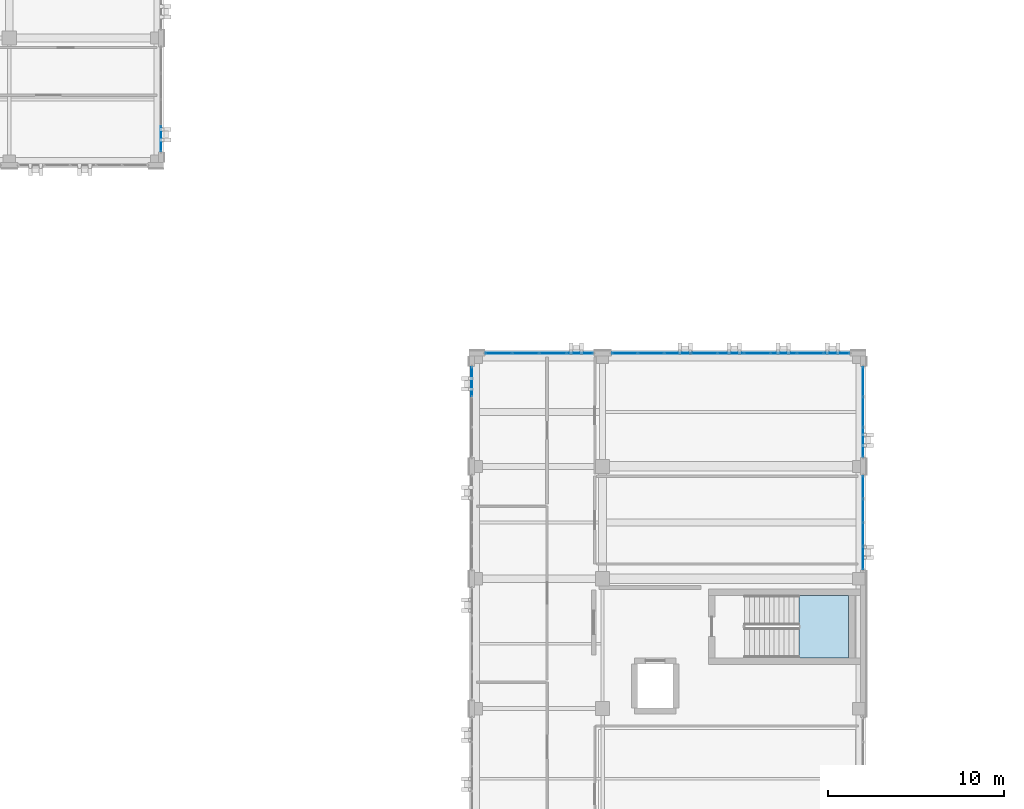
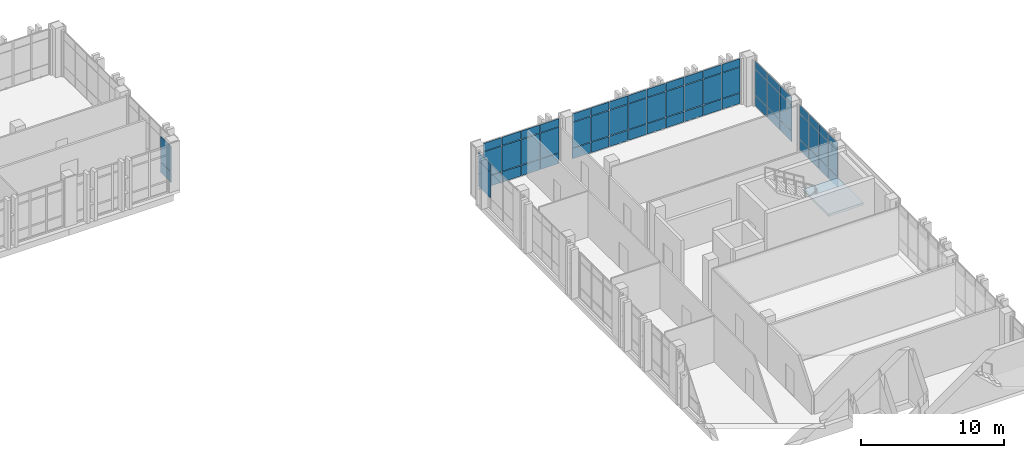
# One storey, part 148 of 193: 64 plates, 1 slab, 7 elements without a shape of their own.
"""IFC4 building model written with IfcOpenShell, lengths in metres."""

from ifc_helpers import new_model, si_unit, direction, frame, origin, origin_2d, place, context, subcontext, project, spatial, polyline, rectangle, outline, extrude, material, layer, layer_set, type_object, element, aggregate, save


model = new_model("IFC4")

# Units and contexts
model_context = context("Model", 3, precision=1e-05, world=origin(), true_north=direction((0.0, 1.0)))
body_context = subcontext(model_context, "Body", "Model", "MODEL_VIEW")
ifc_project = project(units=[si_unit("LENGTHUNIT", "METRE"), si_unit("AREAUNIT", "SQUARE_METRE"), si_unit("VOLUMEUNIT", "CUBIC_METRE"), si_unit("PLANEANGLEUNIT", "RADIAN"), si_unit("MASSUNIT", "GRAM", prefix="KILO")], contexts=[model_context])

# Site, building, storey
site_placement = place(None, origin())
site = spatial("IfcSite", under=ifc_project, at=site_placement, CompositionType="ELEMENT")
building_placement = place(site_placement, origin())
building = spatial("IfcBuilding", under=site, at=building_placement, Name="Qalavern Law Courts", CompositionType="ELEMENT")
storey_placement = place(building_placement, frame((0.0, 0.0, 10.199951171875)))
storey = spatial("IfcBuildingStorey", under=building, at=storey_placement, Name="L02", CompositionType="ELEMENT", Elevation=10.199951171875)

# Curtain wall, plates
ifc_material_1 = material(Name="Anodised aluminium and insulated glazing", Category="aluminium")
ifc_layer_1 = layer(ifc_material_1, 0.172119140625)
ifc_layer_set_1 = layer_set([ifc_layer_1], Name="Anodised aluminium and insulated glazing")
curtain_wall_type_1 = type_object("IfcCurtainWallType", Name="ENV-CW-COURT", PredefinedType="USERDEFINED", material=ifc_layer_set_1)
curtain_wall_1_placement = place(storey_placement, origin())
curtain_wall_1 = element("IfcCurtainWall", 1, at=curtain_wall_1_placement, inside=storey, type_object=curtain_wall_type_1, Name="V4 unitised curtain wall L02 east 4", ObjectType="UNITISED CURTAIN WALL", PredefinedType="USERDEFINED")
ifc_material_2 = material(Name="Insulated low-E acoustic glazing", Category="glass")
ifc_layer_2 = layer(ifc_material_2, 0.028076171875)
ifc_layer_set_2 = layer_set([ifc_layer_2], Name="Insulated low-E acoustic glazing")
plate_type_1 = type_object("IfcPlateType", Name="ENV-CWP-28", PredefinedType="CURTAIN_PANEL", material=ifc_layer_set_2)
plate_1_placement = place(storey_placement, frame((106.64501953125, 73.987060546875, 0.048095703125), z_axis=(0.0, 0.0, 1.0), x_axis=(0.0, 1.0, 0.0)))
plate_1 = element("IfcPlate", 2, at=plate_1_placement, type_object=plate_type_1, Name="CW-03 panel 1.1", PredefinedType="CURTAIN_PANEL", context=body_context, shape_type="SweptSolid", body=[
    extrude(rectangle(XDim=1.278076171875, YDim=0.028076171875, at=origin_2d()), origin(), (0.0, 0.0, 1.0), 0.8779296875),
])
plate_2_placement = place(storey_placement, frame((106.64501953125, 73.987060546875, 0.97412109375), z_axis=(0.0, 0.0, 1.0), x_axis=(0.0, 1.0, 0.0)))
plate_2 = element("IfcPlate", 3, at=plate_2_placement, type_object=plate_type_1, Name="CW-03 panel 1.2", PredefinedType="CURTAIN_PANEL", context=body_context, shape_type="SweptSolid", body=[
    extrude(rectangle(XDim=1.278076171875, YDim=0.028076171875, at=origin_2d()), origin(), (0.0, 0.0, 1.0), 2.1669921875),
])
plate_3_placement = place(storey_placement, frame((106.64501953125, 73.987060546875, 3.18896484375), z_axis=(0.0, 0.0, 1.0), x_axis=(0.0, 1.0, 0.0)))
plate_3 = element("IfcPlate", 4, at=plate_3_placement, type_object=plate_type_1, Name="CW-03 panel 1.3", PredefinedType="CURTAIN_PANEL", context=body_context, shape_type="SweptSolid", body=[
    extrude(rectangle(XDim=1.278076171875, YDim=0.028076171875, at=origin_2d()), origin(), (0.0, 0.0, 1.0), 0.677978515625),
])
plate_4_placement = place(storey_placement, frame((106.64501953125, 75.324951171875, 0.048095703125), z_axis=(0.0, 0.0, 1.0), x_axis=(0.0, 1.0, 0.0)))
plate_4 = element("IfcPlate", 5, at=plate_4_placement, type_object=plate_type_1, Name="CW-03 panel 2.1", PredefinedType="CURTAIN_PANEL", context=body_context, shape_type="SweptSolid", body=[
    extrude(rectangle(XDim=1.302001953125, YDim=0.028076171875, at=origin_2d()), origin(), (0.0, 0.0, 1.0), 0.8779296875),
])
plate_5_placement = place(storey_placement, frame((106.64501953125, 75.324951171875, 0.97412109375), z_axis=(0.0, 0.0, 1.0), x_axis=(0.0, 1.0, 0.0)))
plate_5 = element("IfcPlate", 6, at=plate_5_placement, type_object=plate_type_1, Name="CW-03 panel 2.2", PredefinedType="CURTAIN_PANEL", context=body_context, shape_type="SweptSolid", body=[
    extrude(rectangle(XDim=1.302001953125, YDim=0.028076171875, at=origin_2d()), origin(), (0.0, 0.0, 1.0), 2.1669921875),
])
plate_6_placement = place(storey_placement, frame((106.64501953125, 75.324951171875, 3.18896484375), z_axis=(0.0, 0.0, 1.0), x_axis=(0.0, 1.0, 0.0)))
plate_6 = element("IfcPlate", 7, at=plate_6_placement, type_object=plate_type_1, Name="CW-03 panel 2.3", PredefinedType="CURTAIN_PANEL", context=body_context, shape_type="SweptSolid", body=[
    extrude(rectangle(XDim=1.302001953125, YDim=0.028076171875, at=origin_2d()), origin(), (0.0, 0.0, 1.0), 0.677978515625),
])
plate_7_placement = place(storey_placement, frame((106.64501953125, 76.675048828125, 0.048095703125), z_axis=(0.0, 0.0, 1.0), x_axis=(0.0, 1.0, 0.0)))
plate_7 = element("IfcPlate", 8, at=plate_7_placement, type_object=plate_type_1, Name="CW-03 panel 3.1", PredefinedType="CURTAIN_PANEL", context=body_context, shape_type="SweptSolid", body=[
    extrude(rectangle(XDim=1.302001953125, YDim=0.028076171875, at=origin_2d()), origin(), (0.0, 0.0, 1.0), 0.8779296875),
])
plate_8_placement = place(storey_placement, frame((106.64501953125, 76.675048828125, 0.97412109375), z_axis=(0.0, 0.0, 1.0), x_axis=(0.0, 1.0, 0.0)))
plate_8 = element("IfcPlate", 9, at=plate_8_placement, type_object=plate_type_1, Name="CW-03 panel 3.2", PredefinedType="CURTAIN_PANEL", context=body_context, shape_type="SweptSolid", body=[
    extrude(rectangle(XDim=1.302001953125, YDim=0.028076171875, at=origin_2d()), origin(), (0.0, 0.0, 1.0), 2.1669921875),
])
plate_9_placement = place(storey_placement, frame((106.64501953125, 76.675048828125, 3.18896484375), z_axis=(0.0, 0.0, 1.0), x_axis=(0.0, 1.0, 0.0)))
plate_9 = element("IfcPlate", 10, at=plate_9_placement, type_object=plate_type_1, Name="CW-03 panel 3.3", PredefinedType="CURTAIN_PANEL", context=body_context, shape_type="SweptSolid", body=[
    extrude(rectangle(XDim=1.302001953125, YDim=0.028076171875, at=origin_2d()), origin(), (0.0, 0.0, 1.0), 0.677978515625),
])
plate_10_placement = place(storey_placement, frame((106.64501953125, 78.012939453125, 0.048095703125), z_axis=(0.0, 0.0, 1.0), x_axis=(0.0, 1.0, 0.0)))
plate_10 = element("IfcPlate", 11, at=plate_10_placement, type_object=plate_type_1, Name="CW-03 panel 4.1", PredefinedType="CURTAIN_PANEL", context=body_context, shape_type="SweptSolid", body=[
    extrude(rectangle(XDim=1.278076171875, YDim=0.028076171875, at=origin_2d()), origin(), (0.0, 0.0, 1.0), 0.8779296875),
])
plate_11_placement = place(storey_placement, frame((106.64501953125, 78.012939453125, 0.97412109375), z_axis=(0.0, 0.0, 1.0), x_axis=(0.0, 1.0, 0.0)))
plate_11 = element("IfcPlate", 12, at=plate_11_placement, type_object=plate_type_1, Name="CW-03 panel 4.2", PredefinedType="CURTAIN_PANEL", context=body_context, shape_type="SweptSolid", body=[
    extrude(rectangle(XDim=1.278076171875, YDim=0.028076171875, at=origin_2d()), origin(), (0.0, 0.0, 1.0), 2.1669921875),
])
plate_12_placement = place(storey_placement, frame((106.64501953125, 78.012939453125, 3.18896484375), z_axis=(0.0, 0.0, 1.0), x_axis=(0.0, 1.0, 0.0)))
plate_12 = element("IfcPlate", 13, at=plate_12_placement, type_object=plate_type_1, Name="CW-03 panel 4.3", PredefinedType="CURTAIN_PANEL", context=body_context, shape_type="SweptSolid", body=[
    extrude(rectangle(XDim=1.278076171875, YDim=0.028076171875, at=origin_2d()), origin(), (0.0, 0.0, 1.0), 0.677978515625),
])
aggregate(curtain_wall_1, [plate_1, plate_2, plate_3, plate_4, plate_5, plate_6, plate_7, plate_8, plate_9, plate_10, plate_11, plate_12])

curtain_wall_2_placement = place(storey_placement, origin())
curtain_wall_2 = element("IfcCurtainWall", 14, at=curtain_wall_2_placement, inside=storey, type_object=curtain_wall_type_1, Name="V4 unitised curtain wall L02 east 5", ObjectType="UNITISED CURTAIN WALL", PredefinedType="USERDEFINED")
ifc_layer_3 = layer(ifc_material_2, 0.031982421875)
ifc_layer_set_3 = layer_set([ifc_layer_3], Name="Insulated low-E acoustic glazing")
plate_type_2 = type_object("IfcPlateType", Name="ENV-CWP-32", PredefinedType="CURTAIN_PANEL", material=ifc_layer_set_3)
plate_13_placement = place(storey_placement, frame((106.64501953125, 80.57861328125, 0.048095703125), z_axis=(0.0, 0.0, 1.0), x_axis=(0.0, 1.0, 0.0)))
plate_13 = element("IfcPlate", 15, at=plate_13_placement, type_object=plate_type_2, Name="CW-03 panel 1.1", PredefinedType="CURTAIN_PANEL", context=body_context, shape_type="SweptSolid", body=[
    extrude(rectangle(XDim=1.661376953125, YDim=0.031982421875, at=origin_2d()), origin(), (0.0, 0.0, 1.0), 0.8779296875),
])
plate_14_placement = place(storey_placement, frame((106.64501953125, 80.57861328125, 0.97412109375), z_axis=(0.0, 0.0, 1.0), x_axis=(0.0, 1.0, 0.0)))
plate_14 = element("IfcPlate", 16, at=plate_14_placement, type_object=plate_type_2, Name="CW-03 panel 1.2", PredefinedType="CURTAIN_PANEL", context=body_context, shape_type="SweptSolid", body=[
    extrude(rectangle(XDim=1.661376953125, YDim=0.031982421875, at=origin_2d()), origin(), (0.0, 0.0, 1.0), 2.1669921875),
])
plate_15_placement = place(storey_placement, frame((106.64501953125, 80.57861328125, 3.18896484375), z_axis=(0.0, 0.0, 1.0), x_axis=(0.0, 1.0, 0.0)))
plate_15 = element("IfcPlate", 17, at=plate_15_placement, type_object=plate_type_2, Name="CW-03 panel 1.3", PredefinedType="CURTAIN_PANEL", context=body_context, shape_type="SweptSolid", body=[
    extrude(rectangle(XDim=1.661376953125, YDim=0.031982421875, at=origin_2d()), origin(), (0.0, 0.0, 1.0), 0.677978515625),
])
plate_16_placement = place(storey_placement, frame((106.64501953125, 82.300048828125, 0.048095703125), z_axis=(0.0, 0.0, 1.0), x_axis=(0.0, 1.0, 0.0)))
plate_16 = element("IfcPlate", 18, at=plate_16_placement, type_object=plate_type_2, Name="CW-03 panel 2.1", PredefinedType="CURTAIN_PANEL", context=body_context, shape_type="SweptSolid", body=[
    extrude(rectangle(XDim=1.685302734375, YDim=0.031982421875, at=origin_2d()), origin(), (0.0, 0.0, 1.0), 0.8779296875),
])
plate_17_placement = place(storey_placement, frame((106.64501953125, 82.300048828125, 0.97412109375), z_axis=(0.0, 0.0, 1.0), x_axis=(0.0, 1.0, 0.0)))
plate_17 = element("IfcPlate", 19, at=plate_17_placement, type_object=plate_type_2, Name="CW-03 panel 2.2", PredefinedType="CURTAIN_PANEL", context=body_context, shape_type="SweptSolid", body=[
    extrude(rectangle(XDim=1.685302734375, YDim=0.031982421875, at=origin_2d()), origin(), (0.0, 0.0, 1.0), 2.1669921875),
])
plate_18_placement = place(storey_placement, frame((106.64501953125, 82.300048828125, 3.18896484375), z_axis=(0.0, 0.0, 1.0), x_axis=(0.0, 1.0, 0.0)))
plate_18 = element("IfcPlate", 20, at=plate_18_placement, type_object=plate_type_2, Name="CW-03 panel 2.3", PredefinedType="CURTAIN_PANEL", context=body_context, shape_type="SweptSolid", body=[
    extrude(rectangle(XDim=1.685302734375, YDim=0.031982421875, at=origin_2d()), origin(), (0.0, 0.0, 1.0), 0.677978515625),
])
plate_19_placement = place(storey_placement, frame((106.64501953125, 84.021240234375, 0.048095703125), z_axis=(0.0, 0.0, 1.0), x_axis=(0.0, 1.0, 0.0)))
plate_19 = element("IfcPlate", 21, at=plate_19_placement, type_object=plate_type_2, Name="CW-03 panel 3.1", PredefinedType="CURTAIN_PANEL", context=body_context, shape_type="SweptSolid", body=[
    extrude(rectangle(XDim=1.661376953125, YDim=0.031982421875, at=origin_2d()), origin(), (0.0, 0.0, 1.0), 0.8779296875),
])
plate_20_placement = place(storey_placement, frame((106.64501953125, 84.021240234375, 0.97412109375), z_axis=(0.0, 0.0, 1.0), x_axis=(0.0, 1.0, 0.0)))
plate_20 = element("IfcPlate", 22, at=plate_20_placement, type_object=plate_type_2, Name="CW-03 panel 3.2", PredefinedType="CURTAIN_PANEL", context=body_context, shape_type="SweptSolid", body=[
    extrude(rectangle(XDim=1.661376953125, YDim=0.031982421875, at=origin_2d()), origin(), (0.0, 0.0, 1.0), 2.1669921875),
])
plate_21_placement = place(storey_placement, frame((106.64501953125, 84.021240234375, 3.18896484375), z_axis=(0.0, 0.0, 1.0), x_axis=(0.0, 1.0, 0.0)))
plate_21 = element("IfcPlate", 23, at=plate_21_placement, type_object=plate_type_2, Name="CW-03 panel 3.3", PredefinedType="CURTAIN_PANEL", context=body_context, shape_type="SweptSolid", body=[
    extrude(rectangle(XDim=1.661376953125, YDim=0.031982421875, at=origin_2d()), origin(), (0.0, 0.0, 1.0), 0.677978515625),
])
aggregate(curtain_wall_2, [plate_13, plate_14, plate_15, plate_16, plate_17, plate_18, plate_19, plate_20, plate_21])

curtain_wall_3_placement = place(storey_placement, origin())
curtain_wall_3 = element("IfcCurtainWall", 24, at=curtain_wall_3_placement, inside=storey, type_object=curtain_wall_type_1, Name="V4 unitised curtain wall L02 north 1", ObjectType="UNITISED CURTAIN WALL", PredefinedType="USERDEFINED")
ifc_layer_4 = layer(ifc_material_2, 0.048095703125)
ifc_layer_set_4 = layer_set([ifc_layer_4], Name="Insulated low-E acoustic glazing")
plate_type_3 = type_object("IfcPlateType", Name="ENV-CWP-48", PredefinedType="CURTAIN_PANEL", material=ifc_layer_set_4)
plate_22_placement = place(storey_placement, frame((105.13232421875, 85.64501953125, 0.048095703125), z_axis=(0.0, 0.0, 1.0), x_axis=(-1.0, 0.0, 0.0)))
plate_22 = element("IfcPlate", 25, at=plate_22_placement, type_object=plate_type_3, Name="CW-03 panel 1.1", PredefinedType="CURTAIN_PANEL", context=body_context, shape_type="SweptSolid", body=[
    extrude(rectangle(XDim=1.439208984375, YDim=0.048095703125, at=origin_2d()), origin(), (0.0, 0.0, 1.0), 0.8779296875),
])
plate_23_placement = place(storey_placement, frame((105.13232421875, 85.64501953125, 0.97412109375), z_axis=(0.0, 0.0, 1.0), x_axis=(-1.0, 0.0, 0.0)))
plate_23 = element("IfcPlate", 26, at=plate_23_placement, type_object=plate_type_3, Name="CW-03 panel 1.2", PredefinedType="CURTAIN_PANEL", context=body_context, shape_type="SweptSolid", body=[
    extrude(rectangle(XDim=1.439208984375, YDim=0.048095703125, at=origin_2d()), origin(), (0.0, 0.0, 1.0), 2.1669921875),
])
plate_24_placement = place(storey_placement, frame((105.13232421875, 85.64501953125, 3.18896484375), z_axis=(0.0, 0.0, 1.0), x_axis=(-1.0, 0.0, 0.0)))
plate_24 = element("IfcPlate", 27, at=plate_24_placement, type_object=plate_type_3, Name="CW-03 panel 1.3", PredefinedType="CURTAIN_PANEL", context=body_context, shape_type="SweptSolid", body=[
    extrude(rectangle(XDim=1.439208984375, YDim=0.048095703125, at=origin_2d()), origin(), (0.0, 0.0, 1.0), 0.677978515625),
])
plate_25_placement = place(storey_placement, frame((103.63330078125, 85.64501953125, 0.048095703125), z_axis=(0.0, 0.0, 1.0), x_axis=(-1.0, 0.0, 0.0)))
plate_25 = element("IfcPlate", 28, at=plate_25_placement, type_object=plate_type_3, Name="CW-03 panel 2.1", PredefinedType="CURTAIN_PANEL", context=body_context, shape_type="SweptSolid", body=[
    extrude(rectangle(XDim=1.463134765625, YDim=0.048095703125, at=origin_2d()), origin(), (0.0, 0.0, 1.0), 0.8779296875),
])
plate_26_placement = place(storey_placement, frame((103.63330078125, 85.64501953125, 0.97412109375), z_axis=(0.0, 0.0, 1.0), x_axis=(-1.0, 0.0, 0.0)))
plate_26 = element("IfcPlate", 29, at=plate_26_placement, type_object=plate_type_3, Name="CW-03 panel 2.2", PredefinedType="CURTAIN_PANEL", context=body_context, shape_type="SweptSolid", body=[
    extrude(rectangle(XDim=1.463134765625, YDim=0.048095703125, at=origin_2d()), origin(), (0.0, 0.0, 1.0), 2.1669921875),
])
plate_27_placement = place(storey_placement, frame((103.63330078125, 85.64501953125, 3.18896484375), z_axis=(0.0, 0.0, 1.0), x_axis=(-1.0, 0.0, 0.0)))
plate_27 = element("IfcPlate", 30, at=plate_27_placement, type_object=plate_type_3, Name="CW-03 panel 2.3", PredefinedType="CURTAIN_PANEL", context=body_context, shape_type="SweptSolid", body=[
    extrude(rectangle(XDim=1.463134765625, YDim=0.048095703125, at=origin_2d()), origin(), (0.0, 0.0, 1.0), 0.677978515625),
])
plate_28_placement = place(storey_placement, frame((102.122314453125, 85.64501953125, 0.048095703125), z_axis=(0.0, 0.0, 1.0), x_axis=(-1.0, 0.0, 0.0)))
plate_28 = element("IfcPlate", 31, at=plate_28_placement, type_object=plate_type_3, Name="CW-03 panel 3.1", PredefinedType="CURTAIN_PANEL", context=body_context, shape_type="SweptSolid", body=[
    extrude(rectangle(XDim=1.463134765625, YDim=0.048095703125, at=origin_2d()), origin(), (0.0, 0.0, 1.0), 0.8779296875),
])
plate_29_placement = place(storey_placement, frame((102.122314453125, 85.64501953125, 0.97412109375), z_axis=(0.0, 0.0, 1.0), x_axis=(-1.0, 0.0, 0.0)))
plate_29 = element("IfcPlate", 32, at=plate_29_placement, type_object=plate_type_3, Name="CW-03 panel 3.2", PredefinedType="CURTAIN_PANEL", context=body_context, shape_type="SweptSolid", body=[
    extrude(rectangle(XDim=1.463134765625, YDim=0.048095703125, at=origin_2d()), origin(), (0.0, 0.0, 1.0), 2.1669921875),
])
plate_30_placement = place(storey_placement, frame((102.122314453125, 85.64501953125, 3.18896484375), z_axis=(0.0, 0.0, 1.0), x_axis=(-1.0, 0.0, 0.0)))
plate_30 = element("IfcPlate", 33, at=plate_30_placement, type_object=plate_type_3, Name="CW-03 panel 3.3", PredefinedType="CURTAIN_PANEL", context=body_context, shape_type="SweptSolid", body=[
    extrude(rectangle(XDim=1.463134765625, YDim=0.048095703125, at=origin_2d()), origin(), (0.0, 0.0, 1.0), 0.677978515625),
])
plate_31_placement = place(storey_placement, frame((100.611083984375, 85.64501953125, 0.048095703125), z_axis=(0.0, 0.0, 1.0), x_axis=(-1.0, 0.0, 0.0)))
plate_31 = element("IfcPlate", 34, at=plate_31_placement, type_object=plate_type_3, Name="CW-03 panel 4.1", PredefinedType="CURTAIN_PANEL", context=body_context, shape_type="SweptSolid", body=[
    extrude(rectangle(XDim=1.463134765625, YDim=0.048095703125, at=origin_2d()), origin(), (0.0, 0.0, 1.0), 0.8779296875),
])
plate_32_placement = place(storey_placement, frame((100.611083984375, 85.64501953125, 0.97412109375), z_axis=(0.0, 0.0, 1.0), x_axis=(-1.0, 0.0, 0.0)))
plate_32 = element("IfcPlate", 35, at=plate_32_placement, type_object=plate_type_3, Name="CW-03 panel 4.2", PredefinedType="CURTAIN_PANEL", context=body_context, shape_type="SweptSolid", body=[
    extrude(rectangle(XDim=1.463134765625, YDim=0.048095703125, at=origin_2d()), origin(), (0.0, 0.0, 1.0), 2.1669921875),
])
plate_33_placement = place(storey_placement, frame((100.611083984375, 85.64501953125, 3.18896484375), z_axis=(0.0, 0.0, 1.0), x_axis=(-1.0, 0.0, 0.0)))
plate_33 = element("IfcPlate", 36, at=plate_33_placement, type_object=plate_type_3, Name="CW-03 panel 4.3", PredefinedType="CURTAIN_PANEL", context=body_context, shape_type="SweptSolid", body=[
    extrude(rectangle(XDim=1.463134765625, YDim=0.048095703125, at=origin_2d()), origin(), (0.0, 0.0, 1.0), 0.677978515625),
])
plate_34_placement = place(storey_placement, frame((99.10009765625, 85.64501953125, 0.048095703125), z_axis=(0.0, 0.0, 1.0), x_axis=(-1.0, 0.0, 0.0)))
plate_34 = element("IfcPlate", 37, at=plate_34_placement, type_object=plate_type_3, Name="CW-03 panel 5.1", PredefinedType="CURTAIN_PANEL", context=body_context, shape_type="SweptSolid", body=[
    extrude(rectangle(XDim=1.463134765625, YDim=0.048095703125, at=origin_2d()), origin(), (0.0, 0.0, 1.0), 0.8779296875),
])
plate_35_placement = place(storey_placement, frame((99.10009765625, 85.64501953125, 0.97412109375), z_axis=(0.0, 0.0, 1.0), x_axis=(-1.0, 0.0, 0.0)))
plate_35 = element("IfcPlate", 38, at=plate_35_placement, type_object=plate_type_3, Name="CW-03 panel 5.2", PredefinedType="CURTAIN_PANEL", context=body_context, shape_type="SweptSolid", body=[
    extrude(rectangle(XDim=1.463134765625, YDim=0.048095703125, at=origin_2d()), origin(), (0.0, 0.0, 1.0), 2.1669921875),
])
plate_36_placement = place(storey_placement, frame((99.10009765625, 85.64501953125, 3.18896484375), z_axis=(0.0, 0.0, 1.0), x_axis=(-1.0, 0.0, 0.0)))
plate_36 = element("IfcPlate", 39, at=plate_36_placement, type_object=plate_type_3, Name="CW-03 panel 5.3", PredefinedType="CURTAIN_PANEL", context=body_context, shape_type="SweptSolid", body=[
    extrude(rectangle(XDim=1.463134765625, YDim=0.048095703125, at=origin_2d()), origin(), (0.0, 0.0, 1.0), 0.677978515625),
])
plate_37_placement = place(storey_placement, frame((97.5888671875, 85.64501953125, 0.048095703125), z_axis=(0.0, 0.0, 1.0), x_axis=(-1.0, 0.0, 0.0)))
plate_37 = element("IfcPlate", 40, at=plate_37_placement, type_object=plate_type_3, Name="CW-03 panel 6.1", PredefinedType="CURTAIN_PANEL", context=body_context, shape_type="SweptSolid", body=[
    extrude(rectangle(XDim=1.463134765625, YDim=0.048095703125, at=origin_2d()), origin(), (0.0, 0.0, 1.0), 0.8779296875),
])
plate_38_placement = place(storey_placement, frame((97.5888671875, 85.64501953125, 0.97412109375), z_axis=(0.0, 0.0, 1.0), x_axis=(-1.0, 0.0, 0.0)))
plate_38 = element("IfcPlate", 41, at=plate_38_placement, type_object=plate_type_3, Name="CW-03 panel 6.2", PredefinedType="CURTAIN_PANEL", context=body_context, shape_type="SweptSolid", body=[
    extrude(rectangle(XDim=1.463134765625, YDim=0.048095703125, at=origin_2d()), origin(), (0.0, 0.0, 1.0), 2.1669921875),
])
plate_39_placement = place(storey_placement, frame((97.5888671875, 85.64501953125, 3.18896484375), z_axis=(0.0, 0.0, 1.0), x_axis=(-1.0, 0.0, 0.0)))
plate_39 = element("IfcPlate", 42, at=plate_39_placement, type_object=plate_type_3, Name="CW-03 panel 6.3", PredefinedType="CURTAIN_PANEL", context=body_context, shape_type="SweptSolid", body=[
    extrude(rectangle(XDim=1.463134765625, YDim=0.048095703125, at=origin_2d()), origin(), (0.0, 0.0, 1.0), 0.677978515625),
])
plate_40_placement = place(storey_placement, frame((96.077880859375, 85.64501953125, 0.048095703125), z_axis=(0.0, 0.0, 1.0), x_axis=(-1.0, 0.0, 0.0)))
plate_40 = element("IfcPlate", 43, at=plate_40_placement, type_object=plate_type_3, Name="CW-03 panel 7.1", PredefinedType="CURTAIN_PANEL", context=body_context, shape_type="SweptSolid", body=[
    extrude(rectangle(XDim=1.463134765625, YDim=0.048095703125, at=origin_2d()), origin(), (0.0, 0.0, 1.0), 0.8779296875),
])
plate_41_placement = place(storey_placement, frame((96.077880859375, 85.64501953125, 0.97412109375), z_axis=(0.0, 0.0, 1.0), x_axis=(-1.0, 0.0, 0.0)))
plate_41 = element("IfcPlate", 44, at=plate_41_placement, type_object=plate_type_3, Name="CW-03 panel 7.2", PredefinedType="CURTAIN_PANEL", context=body_context, shape_type="SweptSolid", body=[
    extrude(rectangle(XDim=1.463134765625, YDim=0.048095703125, at=origin_2d()), origin(), (0.0, 0.0, 1.0), 2.1669921875),
])
plate_42_placement = place(storey_placement, frame((96.077880859375, 85.64501953125, 3.18896484375), z_axis=(0.0, 0.0, 1.0), x_axis=(-1.0, 0.0, 0.0)))
plate_42 = element("IfcPlate", 45, at=plate_42_placement, type_object=plate_type_3, Name="CW-03 panel 7.3", PredefinedType="CURTAIN_PANEL", context=body_context, shape_type="SweptSolid", body=[
    extrude(rectangle(XDim=1.463134765625, YDim=0.048095703125, at=origin_2d()), origin(), (0.0, 0.0, 1.0), 0.677978515625),
])
plate_43_placement = place(storey_placement, frame((94.566650390625, 85.64501953125, 0.048095703125), z_axis=(0.0, 0.0, 1.0), x_axis=(-1.0, 0.0, 0.0)))
plate_43 = element("IfcPlate", 46, at=plate_43_placement, type_object=plate_type_3, Name="CW-03 panel 8.1", PredefinedType="CURTAIN_PANEL", context=body_context, shape_type="SweptSolid", body=[
    extrude(rectangle(XDim=1.463134765625, YDim=0.048095703125, at=origin_2d()), origin(), (0.0, 0.0, 1.0), 0.8779296875),
])
plate_44_placement = place(storey_placement, frame((94.566650390625, 85.64501953125, 0.97412109375), z_axis=(0.0, 0.0, 1.0), x_axis=(-1.0, 0.0, 0.0)))
plate_44 = element("IfcPlate", 47, at=plate_44_placement, type_object=plate_type_3, Name="CW-03 panel 8.2", PredefinedType="CURTAIN_PANEL", context=body_context, shape_type="SweptSolid", body=[
    extrude(rectangle(XDim=1.463134765625, YDim=0.048095703125, at=origin_2d()), origin(), (0.0, 0.0, 1.0), 2.1669921875),
])
plate_45_placement = place(storey_placement, frame((94.566650390625, 85.64501953125, 3.18896484375), z_axis=(0.0, 0.0, 1.0), x_axis=(-1.0, 0.0, 0.0)))
plate_45 = element("IfcPlate", 48, at=plate_45_placement, type_object=plate_type_3, Name="CW-03 panel 8.3", PredefinedType="CURTAIN_PANEL", context=body_context, shape_type="SweptSolid", body=[
    extrude(rectangle(XDim=1.463134765625, YDim=0.048095703125, at=origin_2d()), origin(), (0.0, 0.0, 1.0), 0.677978515625),
])
plate_46_placement = place(storey_placement, frame((93.067626953125, 85.64501953125, 0.048095703125), z_axis=(0.0, 0.0, 1.0), x_axis=(-1.0, 0.0, 0.0)))
plate_46 = element("IfcPlate", 49, at=plate_46_placement, type_object=plate_type_3, Name="CW-03 panel 9.1", PredefinedType="CURTAIN_PANEL", context=body_context, shape_type="SweptSolid", body=[
    extrude(rectangle(XDim=1.439208984375, YDim=0.048095703125, at=origin_2d()), origin(), (0.0, 0.0, 1.0), 0.8779296875),
])
plate_47_placement = place(storey_placement, frame((93.067626953125, 85.64501953125, 0.97412109375), z_axis=(0.0, 0.0, 1.0), x_axis=(-1.0, 0.0, 0.0)))
plate_47 = element("IfcPlate", 50, at=plate_47_placement, type_object=plate_type_3, Name="CW-03 panel 9.2", PredefinedType="CURTAIN_PANEL", context=body_context, shape_type="SweptSolid", body=[
    extrude(rectangle(XDim=1.439208984375, YDim=0.048095703125, at=origin_2d()), origin(), (0.0, 0.0, 1.0), 2.1669921875),
])
plate_48_placement = place(storey_placement, frame((93.067626953125, 85.64501953125, 3.18896484375), z_axis=(0.0, 0.0, 1.0), x_axis=(-1.0, 0.0, 0.0)))
plate_48 = element("IfcPlate", 51, at=plate_48_placement, type_object=plate_type_3, Name="CW-03 panel 9.3", PredefinedType="CURTAIN_PANEL", context=body_context, shape_type="SweptSolid", body=[
    extrude(rectangle(XDim=1.439208984375, YDim=0.048095703125, at=origin_2d()), origin(), (0.0, 0.0, 1.0), 0.677978515625),
])
aggregate(curtain_wall_3, [plate_22, plate_23, plate_24, plate_25, plate_26, plate_27, plate_28, plate_29, plate_30, plate_31, plate_32, plate_33, plate_34, plate_35, plate_36, plate_37, plate_38, plate_39, plate_40, plate_41, plate_42, plate_43, plate_44, plate_45, plate_46, plate_47, plate_48])

curtain_wall_4_placement = place(storey_placement, origin())
curtain_wall_4 = element("IfcCurtainWall", 52, at=curtain_wall_4_placement, inside=storey, type_object=curtain_wall_type_1, Name="V4 unitised curtain wall L02 west 1", ObjectType="UNITISED CURTAIN WALL", PredefinedType="USERDEFINED")
plate_49_placement = place(storey_placement, frame((84.35498046875, 84.021240234375, 0.97412109375), z_axis=(0.0, 0.0, 1.0), x_axis=(0.0, -1.0, 0.0)))
plate_49 = element("IfcPlate", 53, at=plate_49_placement, type_object=plate_type_3, Name="CW-03 panel 1.2", PredefinedType="CURTAIN_PANEL", context=body_context, shape_type="SweptSolid", body=[
    extrude(rectangle(XDim=1.661376953125, YDim=0.048095703125, at=origin_2d()), origin(), (0.0, 0.0, 1.0), 2.1669921875),
])
plate_50_placement = place(storey_placement, frame((84.35498046875, 84.021240234375, 3.18896484375), z_axis=(0.0, 0.0, 1.0), x_axis=(0.0, -1.0, 0.0)))
plate_50 = element("IfcPlate", 54, at=plate_50_placement, type_object=plate_type_3, Name="CW-03 panel 1.3", PredefinedType="CURTAIN_PANEL", context=body_context, shape_type="SweptSolid", body=[
    extrude(rectangle(XDim=1.661376953125, YDim=0.048095703125, at=origin_2d()), origin(), (0.0, 0.0, 1.0), 0.677978515625),
])
aggregate(curtain_wall_4, [plate_49, plate_50])

ifc_layer_5 = layer(ifc_material_1, 0.166015625)
ifc_layer_set_5 = layer_set([ifc_layer_5], Name="Anodised aluminium and insulated glazing")
curtain_wall_type_2 = type_object("IfcCurtainWallType", Name="ENV-CW-LIB", PredefinedType="USERDEFINED", material=ifc_layer_set_5)
curtain_wall_5_placement = place(storey_placement, origin())
curtain_wall_5 = element("IfcCurtainWall", 55, at=curtain_wall_5_placement, inside=storey, type_object=curtain_wall_type_2, Name="V5 unitised curtain wall L02 east 1", ObjectType="UNITISED CURTAIN WALL", PredefinedType="USERDEFINED")
plate_51_placement = place(storey_placement, frame((66.64501953125, 97.862060546875, 0.048095703125), z_axis=(0.0, 0.0, 1.0), x_axis=(0.0, 1.0, 0.0)))
plate_51 = element("IfcPlate", 56, at=plate_51_placement, type_object=plate_type_3, Name="CW-05 panel 1.1", PredefinedType="CURTAIN_PANEL", context=body_context, shape_type="SweptSolid", body=[
    extrude(rectangle(XDim=1.427978515625, YDim=0.048095703125, at=origin_2d()), origin(), (0.0, 0.0, 1.0), 0.8779296875),
])
plate_52_placement = place(storey_placement, frame((66.64501953125, 97.862060546875, 0.97412109375), z_axis=(0.0, 0.0, 1.0), x_axis=(0.0, 1.0, 0.0)))
plate_52 = element("IfcPlate", 57, at=plate_52_placement, type_object=plate_type_3, Name="CW-05 panel 1.2", PredefinedType="CURTAIN_PANEL", context=body_context, shape_type="SweptSolid", body=[
    extrude(rectangle(XDim=1.427978515625, YDim=0.048095703125, at=origin_2d()), origin(), (0.0, 0.0, 1.0), 2.1669921875),
])
aggregate(curtain_wall_5, [plate_51, plate_52])

curtain_wall_6_placement = place(storey_placement, origin())
curtain_wall_6 = element("IfcCurtainWall", 58, at=curtain_wall_6_placement, inside=storey, type_object=curtain_wall_type_1, Name="V4 unitised curtain wall L02 north 2", ObjectType="UNITISED CURTAIN WALL", PredefinedType="USERDEFINED")
ifc_layer_6 = layer(ifc_material_2, 0.052001953125)
ifc_layer_set_6 = layer_set([ifc_layer_6], Name="Insulated low-E acoustic glazing")
plate_type_4 = type_object("IfcPlateType", Name="ENV-CWP-52", PredefinedType="CURTAIN_PANEL", material=ifc_layer_set_6)
plate_53_placement = place(storey_placement, frame((90.512939453125, 85.64501953125, 0.048095703125), z_axis=(0.0, 0.0, 1.0), x_axis=(-1.0, 0.0, 0.0)))
plate_53 = element("IfcPlate", 59, at=plate_53_placement, type_object=plate_type_4, Name="CW-03 panel 1.1", PredefinedType="CURTAIN_PANEL", context=body_context, shape_type="SweptSolid", body=[
    extrude(rectangle(XDim=1.47802734375, YDim=0.052001953125, at=origin_2d()), origin(), (0.0, 0.0, 1.0), 0.8779296875),
])
plate_54_placement = place(storey_placement, frame((90.512939453125, 85.64501953125, 0.97412109375), z_axis=(0.0, 0.0, 1.0), x_axis=(-1.0, 0.0, 0.0)))
plate_54 = element("IfcPlate", 60, at=plate_54_placement, type_object=plate_type_4, Name="CW-03 panel 1.2", PredefinedType="CURTAIN_PANEL", context=body_context, shape_type="SweptSolid", body=[
    extrude(rectangle(XDim=1.47802734375, YDim=0.052001953125, at=origin_2d()), origin(), (0.0, 0.0, 1.0), 2.1669921875),
])
plate_55_placement = place(storey_placement, frame((90.512939453125, 85.64501953125, 3.18896484375), z_axis=(0.0, 0.0, 1.0), x_axis=(-1.0, 0.0, 0.0)))
plate_55 = element("IfcPlate", 61, at=plate_55_placement, type_object=plate_type_4, Name="CW-03 panel 1.3", PredefinedType="CURTAIN_PANEL", context=body_context, shape_type="SweptSolid", body=[
    extrude(rectangle(XDim=1.47802734375, YDim=0.052001953125, at=origin_2d()), origin(), (0.0, 0.0, 1.0), 0.677978515625),
])
plate_56_placement = place(storey_placement, frame((88.97509765625, 85.64501953125, 0.048095703125), z_axis=(0.0, 0.0, 1.0), x_axis=(-1.0, 0.0, 0.0)))
plate_56 = element("IfcPlate", 62, at=plate_56_placement, type_object=plate_type_4, Name="CW-03 panel 2.1", PredefinedType="CURTAIN_PANEL", context=body_context, shape_type="SweptSolid", body=[
    extrude(rectangle(XDim=1.501953125, YDim=0.052001953125, at=origin_2d()), origin(), (0.0, 0.0, 1.0), 0.8779296875),
])
plate_57_placement = place(storey_placement, frame((88.97509765625, 85.64501953125, 0.97412109375), z_axis=(0.0, 0.0, 1.0), x_axis=(-1.0, 0.0, 0.0)))
plate_57 = element("IfcPlate", 63, at=plate_57_placement, type_object=plate_type_4, Name="CW-03 panel 2.2", PredefinedType="CURTAIN_PANEL", context=body_context, shape_type="SweptSolid", body=[
    extrude(rectangle(XDim=1.501953125, YDim=0.052001953125, at=origin_2d()), origin(), (0.0, 0.0, 1.0), 2.1669921875),
])
plate_58_placement = place(storey_placement, frame((88.97509765625, 85.64501953125, 3.18896484375), z_axis=(0.0, 0.0, 1.0), x_axis=(-1.0, 0.0, 0.0)))
plate_58 = element("IfcPlate", 64, at=plate_58_placement, type_object=plate_type_4, Name="CW-03 panel 2.3", PredefinedType="CURTAIN_PANEL", context=body_context, shape_type="SweptSolid", body=[
    extrude(rectangle(XDim=1.501953125, YDim=0.052001953125, at=origin_2d()), origin(), (0.0, 0.0, 1.0), 0.677978515625),
])
plate_59_placement = place(storey_placement, frame((87.425048828125, 85.64501953125, 0.048095703125), z_axis=(0.0, 0.0, 1.0), x_axis=(-1.0, 0.0, 0.0)))
plate_59 = element("IfcPlate", 65, at=plate_59_placement, type_object=plate_type_4, Name="CW-03 panel 3.1", PredefinedType="CURTAIN_PANEL", context=body_context, shape_type="SweptSolid", body=[
    extrude(rectangle(XDim=1.501953125, YDim=0.052001953125, at=origin_2d()), origin(), (0.0, 0.0, 1.0), 0.8779296875),
])
plate_60_placement = place(storey_placement, frame((87.425048828125, 85.64501953125, 0.97412109375), z_axis=(0.0, 0.0, 1.0), x_axis=(-1.0, 0.0, 0.0)))
plate_60 = element("IfcPlate", 66, at=plate_60_placement, type_object=plate_type_4, Name="CW-03 panel 3.2", PredefinedType="CURTAIN_PANEL", context=body_context, shape_type="SweptSolid", body=[
    extrude(rectangle(XDim=1.501953125, YDim=0.052001953125, at=origin_2d()), origin(), (0.0, 0.0, 1.0), 2.1669921875),
])
plate_61_placement = place(storey_placement, frame((87.425048828125, 85.64501953125, 3.18896484375), z_axis=(0.0, 0.0, 1.0), x_axis=(-1.0, 0.0, 0.0)))
plate_61 = element("IfcPlate", 67, at=plate_61_placement, type_object=plate_type_4, Name="CW-03 panel 3.3", PredefinedType="CURTAIN_PANEL", context=body_context, shape_type="SweptSolid", body=[
    extrude(rectangle(XDim=1.501953125, YDim=0.052001953125, at=origin_2d()), origin(), (0.0, 0.0, 1.0), 0.677978515625),
])
plate_62_placement = place(storey_placement, frame((85.886962890625, 85.64501953125, 0.048095703125), z_axis=(0.0, 0.0, 1.0), x_axis=(-1.0, 0.0, 0.0)))
plate_62 = element("IfcPlate", 68, at=plate_62_placement, type_object=plate_type_4, Name="CW-03 panel 4.1", PredefinedType="CURTAIN_PANEL", context=body_context, shape_type="SweptSolid", body=[
    extrude(rectangle(XDim=1.47802734375, YDim=0.052001953125, at=origin_2d()), origin(), (0.0, 0.0, 1.0), 0.8779296875),
])
plate_63_placement = place(storey_placement, frame((85.886962890625, 85.64501953125, 0.97412109375), z_axis=(0.0, 0.0, 1.0), x_axis=(-1.0, 0.0, 0.0)))
plate_63 = element("IfcPlate", 69, at=plate_63_placement, type_object=plate_type_4, Name="CW-03 panel 4.2", PredefinedType="CURTAIN_PANEL", context=body_context, shape_type="SweptSolid", body=[
    extrude(rectangle(XDim=1.47802734375, YDim=0.052001953125, at=origin_2d()), origin(), (0.0, 0.0, 1.0), 2.1669921875),
])
plate_64_placement = place(storey_placement, frame((85.886962890625, 85.64501953125, 3.18896484375), z_axis=(0.0, 0.0, 1.0), x_axis=(-1.0, 0.0, 0.0)))
plate_64 = element("IfcPlate", 70, at=plate_64_placement, type_object=plate_type_4, Name="CW-03 panel 4.3", PredefinedType="CURTAIN_PANEL", context=body_context, shape_type="SweptSolid", body=[
    extrude(rectangle(XDim=1.47802734375, YDim=0.052001953125, at=origin_2d()), origin(), (0.0, 0.0, 1.0), 0.677978515625),
])
aggregate(curtain_wall_6, [plate_53, plate_54, plate_55, plate_56, plate_57, plate_58, plate_59, plate_60, plate_61, plate_62, plate_63, plate_64])

# Stair, slab
ifc_material_3 = material(Name="Concrete C35/45", Category="concrete")
stair_type = type_object("IfcStairType", Name="INT-STAIR-1700", PredefinedType="HALF_TURN_STAIR", material=ifc_material_3)
stair_placement = place(storey_placement, origin())
stair = element("IfcStair", 71, at=stair_placement, inside=storey, type_object=stair_type, Name="L02 ST-K1B", PredefinedType="HALF_TURN_STAIR")
ifc_layer_7 = layer(ifc_material_3, 0.199951171875)
ifc_layer_set_7 = layer_set([ifc_layer_7], Name="Concrete C35/45")
slab_type = type_object("IfcSlabType", Name="INT-LANDING-200", PredefinedType="LANDING", material=ifc_layer_set_7)
slab_placement = place(storey_placement, frame((0.0, 0.0, 1.900146484375)))
slab = element("IfcSlab", 72, at=slab_placement, type_object=slab_type, Name="ST-K1B landing 1", PredefinedType="LANDING", context=body_context, shape_type="SweptSolid", body=[
    extrude(outline(polyline([(102.97998046875, 68.300048828125), (105.800048828125, 68.300048828125), (105.800048828125, 71.85009765625), (102.97998046875, 71.85009765625), (102.97998046875, 68.300048828125)])), origin(), (0.0, 0.0, 1.0), 0.199951171875),
])
aggregate(stair, [slab])

save(model, "model.ifc")
